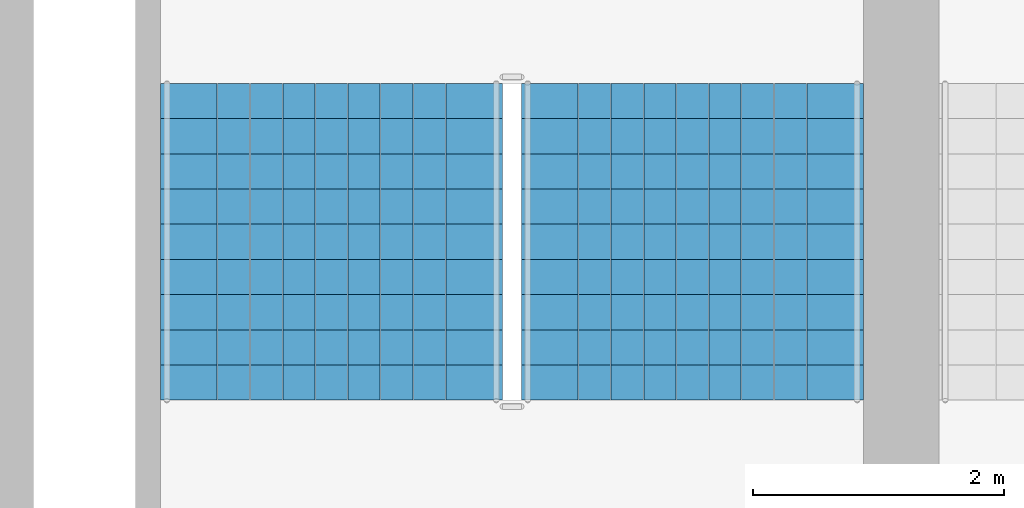
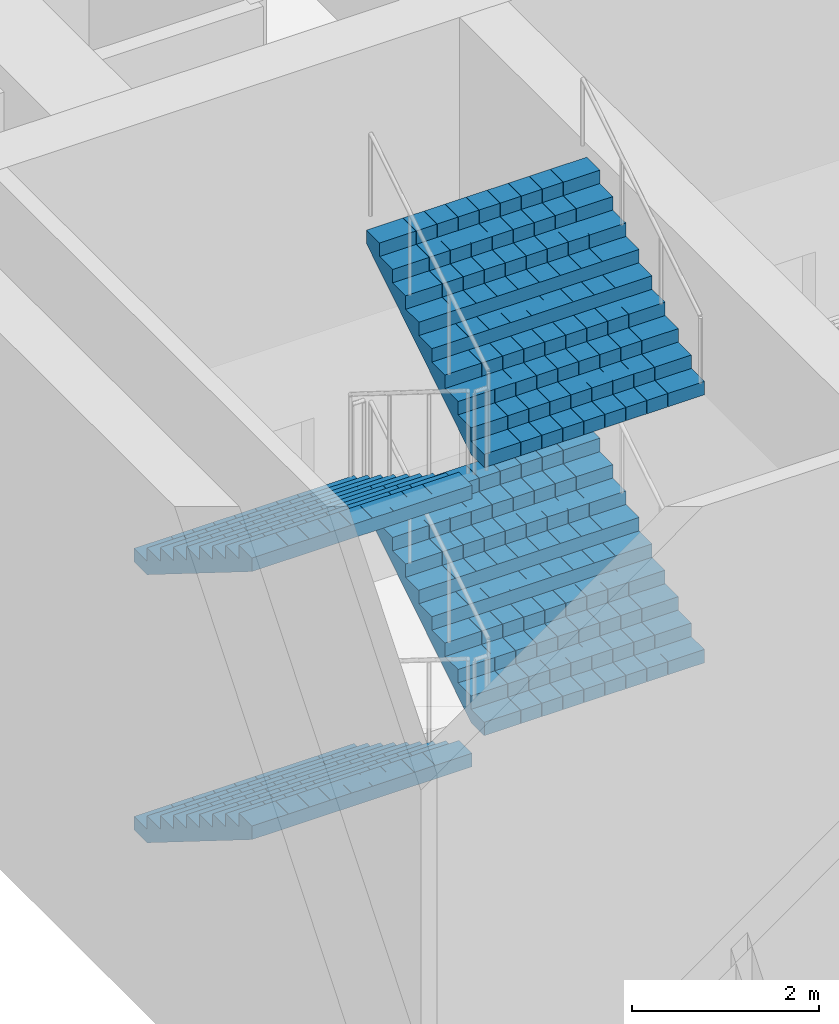
# One storey, part 32 of 45: 4 stair flights, 1 element without a shape of its own.
"""IFC4 building model written with IfcOpenShell, lengths in metres."""

from ifc_helpers import new_model, si_unit, direction, frame, origin, place, context, subcontext, project, spatial, polyline, outline, extrude, material, type_object, element, aggregate, save


model = new_model("IFC4")

# Units and contexts
model_context = context("Model", 3, precision=1e-05, world=origin(), true_north=direction((0.0, 1.0)))
body_context = subcontext(model_context, "Body", "Model", "MODEL_VIEW")
ifc_project = project(units=[si_unit("LENGTHUNIT", "METRE"), si_unit("AREAUNIT", "SQUARE_METRE"), si_unit("VOLUMEUNIT", "CUBIC_METRE"), si_unit("PLANEANGLEUNIT", "RADIAN"), si_unit("MASSUNIT", "GRAM", prefix="KILO")], contexts=[model_context])

# Site, building, storey
site_placement = place(None, origin())
site = spatial("IfcSite", under=ifc_project, at=site_placement, CompositionType="ELEMENT")
building_placement = place(site_placement, origin())
building = spatial("IfcBuilding", under=site, at=building_placement, Name="Corbelhall Arena Tower", CompositionType="ELEMENT")
storey_placement = place(building_placement, frame((0.0, 0.0, 37.0)))
storey = spatial("IfcBuildingStorey", under=building, at=storey_placement, Name="L05", CompositionType="ELEMENT", Elevation=37.0)

# Stair, stair flights
ifc_material = material(Name="Reinforced concrete C40/50", Category="concrete")
stair_type = type_object("IfcStairType", Name="AR-EXIT-STAIR", PredefinedType="HALF_TURN_STAIR", material=ifc_material)
stair_placement = place(storey_placement, origin())
stair = element("IfcStair", 1, at=stair_placement, inside=storey, type_object=stair_type, Name="L05 exit stair AS8", PredefinedType="HALF_TURN_STAIR")
stair_flight_type = type_object("IfcStairFlightType", Name="AR-EXIT-FLIGHT", PredefinedType="STRAIGHT", material=ifc_material)
stair_flight_1_placement = place(storey_placement, frame((-45.030029296875, -27.320068359375, 0.0), z_axis=(0.0, 0.0, 1.0), x_axis=(0.0, -1.0, 0.0)))
stair_flight_1 = element("IfcStairFlight", 2, at=stair_flight_1_placement, type_object=stair_flight_type, Name="AS8 flight 1", NumberOfRisers=10, NumberOfTreads=9, PredefinedType="STRAIGHT", RiserHeight=0.175, TreadLength=0.28, context=body_context, shape_type="SweptSolid", body=[
    extrude(outline(polyline([(0.0, 0.0), (0.0, 0.175048828125), (0.280029296875, 0.175048828125), (0.280029296875, 0.35009765625), (0.56005859375, 0.35009765625), (0.56005859375, 0.52490234375), (0.840087890625, 0.52490234375), (0.840087890625, 0.699951171875), (1.1201171875, 0.699951171875), (1.1201171875, 0.875), (1.39990234375, 0.875), (1.39990234375, 1.050048828125), (1.679931640625, 1.050048828125), (1.679931640625, 1.22509765625), (1.9599609375, 1.22509765625), (1.9599609375, 1.39990234375), (2.239990234375, 1.39990234375), (2.239990234375, 1.574951171875), (2.52001953125, 1.574951171875), (2.52001953125, 1.75), (2.52001953125, 1.398193359375), (0.28271484375, 0.0), (0.0, 0.0)])), frame((0.0, 1.35986328125, 0.0), z_axis=(0.0, -1.0, 0.0), x_axis=(1.0, 0.0, 0.0)), (0.0, 0.0, 1.0), 0.449951171875),
    extrude(outline(polyline([(0.0, 0.0), (0.0, 0.175048828125), (0.280029296875, 0.175048828125), (0.280029296875, 0.35009765625), (0.56005859375, 0.35009765625), (0.56005859375, 0.52490234375), (0.840087890625, 0.52490234375), (0.840087890625, 0.699951171875), (1.1201171875, 0.699951171875), (1.1201171875, 0.875), (1.39990234375, 0.875), (1.39990234375, 1.050048828125), (1.679931640625, 1.050048828125), (1.679931640625, 1.22509765625), (1.9599609375, 1.22509765625), (1.9599609375, 1.39990234375), (2.239990234375, 1.39990234375), (2.239990234375, 1.574951171875), (2.52001953125, 1.574951171875), (2.52001953125, 1.75), (2.52001953125, 1.398193359375), (0.28271484375, 0.0), (0.0, 0.0)])), frame((0.0, 0.906005859375, 0.0), z_axis=(0.0, -1.0, 0.0), x_axis=(1.0, 0.0, 0.0)), (0.0, 0.0, 1.0), 0.25537109375),
    extrude(outline(polyline([(0.0, 0.0), (0.0, 0.175048828125), (0.280029296875, 0.175048828125), (0.280029296875, 0.35009765625), (0.56005859375, 0.35009765625), (0.56005859375, 0.52490234375), (0.840087890625, 0.52490234375), (0.840087890625, 0.699951171875), (1.1201171875, 0.699951171875), (1.1201171875, 0.875), (1.39990234375, 0.875), (1.39990234375, 1.050048828125), (1.679931640625, 1.050048828125), (1.679931640625, 1.22509765625), (1.9599609375, 1.22509765625), (1.9599609375, 1.39990234375), (2.239990234375, 1.39990234375), (2.239990234375, 1.574951171875), (2.52001953125, 1.574951171875), (2.52001953125, 1.75), (2.52001953125, 1.398193359375), (0.28271484375, 0.0), (0.0, 0.0)])), frame((0.0, 0.646484375, 0.0), z_axis=(0.0, -1.0, 0.0), x_axis=(1.0, 0.0, 0.0)), (0.0, 0.0, 1.0), 0.25537109375),
    extrude(outline(polyline([(0.0, 0.0), (0.0, 0.175048828125), (0.280029296875, 0.175048828125), (0.280029296875, 0.35009765625), (0.56005859375, 0.35009765625), (0.56005859375, 0.52490234375), (0.840087890625, 0.52490234375), (0.840087890625, 0.699951171875), (1.1201171875, 0.699951171875), (1.1201171875, 0.875), (1.39990234375, 0.875), (1.39990234375, 1.050048828125), (1.679931640625, 1.050048828125), (1.679931640625, 1.22509765625), (1.9599609375, 1.22509765625), (1.9599609375, 1.39990234375), (2.239990234375, 1.39990234375), (2.239990234375, 1.574951171875), (2.52001953125, 1.574951171875), (2.52001953125, 1.75), (2.52001953125, 1.398193359375), (0.28271484375, 0.0), (0.0, 0.0)])), frame((0.0, 0.38720703125, 0.0), z_axis=(0.0, -1.0, 0.0), x_axis=(1.0, 0.0, 0.0)), (0.0, 0.0, 1.0), 0.25537109375),
    extrude(outline(polyline([(0.0, 0.0), (0.0, 0.175048828125), (0.280029296875, 0.175048828125), (0.280029296875, 0.35009765625), (0.56005859375, 0.35009765625), (0.56005859375, 0.52490234375), (0.840087890625, 0.52490234375), (0.840087890625, 0.699951171875), (1.1201171875, 0.699951171875), (1.1201171875, 0.875), (1.39990234375, 0.875), (1.39990234375, 1.050048828125), (1.679931640625, 1.050048828125), (1.679931640625, 1.22509765625), (1.9599609375, 1.22509765625), (1.9599609375, 1.39990234375), (2.239990234375, 1.39990234375), (2.239990234375, 1.574951171875), (2.52001953125, 1.574951171875), (2.52001953125, 1.75), (2.52001953125, 1.398193359375), (0.28271484375, 0.0), (0.0, 0.0)])), frame((0.0, 0.127685546875, 0.0), z_axis=(0.0, -1.0, 0.0), x_axis=(1.0, 0.0, 0.0)), (0.0, 0.0, 1.0), 0.25537109375),
    extrude(outline(polyline([(0.0, 0.0), (0.0, 0.175048828125), (0.280029296875, 0.175048828125), (0.280029296875, 0.35009765625), (0.56005859375, 0.35009765625), (0.56005859375, 0.52490234375), (0.840087890625, 0.52490234375), (0.840087890625, 0.699951171875), (1.1201171875, 0.699951171875), (1.1201171875, 0.875), (1.39990234375, 0.875), (1.39990234375, 1.050048828125), (1.679931640625, 1.050048828125), (1.679931640625, 1.22509765625), (1.9599609375, 1.22509765625), (1.9599609375, 1.39990234375), (2.239990234375, 1.39990234375), (2.239990234375, 1.574951171875), (2.52001953125, 1.574951171875), (2.52001953125, 1.75), (2.52001953125, 1.398193359375), (0.28271484375, 0.0), (0.0, 0.0)])), frame((0.0, -0.131591796875, 0.0), z_axis=(0.0, -1.0, 0.0), x_axis=(1.0, 0.0, 0.0)), (0.0, 0.0, 1.0), 0.25537109375),
    extrude(outline(polyline([(0.0, 0.0), (0.0, 0.175048828125), (0.280029296875, 0.175048828125), (0.280029296875, 0.35009765625), (0.56005859375, 0.35009765625), (0.56005859375, 0.52490234375), (0.840087890625, 0.52490234375), (0.840087890625, 0.699951171875), (1.1201171875, 0.699951171875), (1.1201171875, 0.875), (1.39990234375, 0.875), (1.39990234375, 1.050048828125), (1.679931640625, 1.050048828125), (1.679931640625, 1.22509765625), (1.9599609375, 1.22509765625), (1.9599609375, 1.39990234375), (2.239990234375, 1.39990234375), (2.239990234375, 1.574951171875), (2.52001953125, 1.574951171875), (2.52001953125, 1.75), (2.52001953125, 1.398193359375), (0.28271484375, 0.0), (0.0, 0.0)])), frame((0.0, -0.39111328125, 0.0), z_axis=(0.0, -1.0, 0.0), x_axis=(1.0, 0.0, 0.0)), (0.0, 0.0, 1.0), 0.25537109375),
    extrude(outline(polyline([(0.0, 0.0), (0.0, 0.175048828125), (0.280029296875, 0.175048828125), (0.280029296875, 0.35009765625), (0.56005859375, 0.35009765625), (0.56005859375, 0.52490234375), (0.840087890625, 0.52490234375), (0.840087890625, 0.699951171875), (1.1201171875, 0.699951171875), (1.1201171875, 0.875), (1.39990234375, 0.875), (1.39990234375, 1.050048828125), (1.679931640625, 1.050048828125), (1.679931640625, 1.22509765625), (1.9599609375, 1.22509765625), (1.9599609375, 1.39990234375), (2.239990234375, 1.39990234375), (2.239990234375, 1.574951171875), (2.52001953125, 1.574951171875), (2.52001953125, 1.75), (2.52001953125, 1.398193359375), (0.28271484375, 0.0), (0.0, 0.0)])), frame((0.0, -0.650634765625, 0.0), z_axis=(0.0, -1.0, 0.0), x_axis=(1.0, 0.0, 0.0)), (0.0, 0.0, 1.0), 0.25537109375),
    extrude(outline(polyline([(0.0, 0.0), (0.0, 0.175048828125), (0.280029296875, 0.175048828125), (0.280029296875, 0.35009765625), (0.56005859375, 0.35009765625), (0.56005859375, 0.52490234375), (0.840087890625, 0.52490234375), (0.840087890625, 0.699951171875), (1.1201171875, 0.699951171875), (1.1201171875, 0.875), (1.39990234375, 0.875), (1.39990234375, 1.050048828125), (1.679931640625, 1.050048828125), (1.679931640625, 1.22509765625), (1.9599609375, 1.22509765625), (1.9599609375, 1.39990234375), (2.239990234375, 1.39990234375), (2.239990234375, 1.574951171875), (2.52001953125, 1.574951171875), (2.52001953125, 1.75), (2.52001953125, 1.398193359375), (0.28271484375, 0.0), (0.0, 0.0)])), frame((0.0, -0.909912109375, 0.0), z_axis=(0.0, -1.0, 0.0), x_axis=(1.0, 0.0, 0.0)), (0.0, 0.0, 1.0), 0.449951171875),
])
stair_flight_2_placement = place(storey_placement, frame((-42.159912109375, -29.840087890625, 1.75), z_axis=(0.0, 0.0, 1.0), x_axis=(0.0, 1.0, 0.0)))
stair_flight_2 = element("IfcStairFlight", 3, at=stair_flight_2_placement, type_object=stair_flight_type, Name="AS8 flight 2", NumberOfRisers=10, NumberOfTreads=9, PredefinedType="STRAIGHT", RiserHeight=0.175, TreadLength=0.28, context=body_context, shape_type="SweptSolid", body=[
    extrude(outline(polyline([(0.0, 0.0), (0.0, 0.175048828125), (0.280029296875, 0.175048828125), (0.280029296875, 0.35009765625), (0.56005859375, 0.35009765625), (0.56005859375, 0.52490234375), (0.840087890625, 0.52490234375), (0.840087890625, 0.699951171875), (1.1201171875, 0.699951171875), (1.1201171875, 0.875), (1.39990234375, 0.875), (1.39990234375, 1.050048828125), (1.679931640625, 1.050048828125), (1.679931640625, 1.22509765625), (1.9599609375, 1.22509765625), (1.9599609375, 1.39990234375), (2.239990234375, 1.39990234375), (2.239990234375, 1.574951171875), (2.52001953125, 1.574951171875), (2.52001953125, 1.75), (2.52001953125, 1.398193359375), (0.28271484375, 0.0), (0.0, 0.0)])), frame((0.0, 1.35986328125, 0.0), z_axis=(0.0, -1.0, 0.0), x_axis=(1.0, 0.0, 0.0)), (0.0, 0.0, 1.0), 0.449951171875),
    extrude(outline(polyline([(0.0, 0.0), (0.0, 0.175048828125), (0.280029296875, 0.175048828125), (0.280029296875, 0.35009765625), (0.56005859375, 0.35009765625), (0.56005859375, 0.52490234375), (0.840087890625, 0.52490234375), (0.840087890625, 0.699951171875), (1.1201171875, 0.699951171875), (1.1201171875, 0.875), (1.39990234375, 0.875), (1.39990234375, 1.050048828125), (1.679931640625, 1.050048828125), (1.679931640625, 1.22509765625), (1.9599609375, 1.22509765625), (1.9599609375, 1.39990234375), (2.239990234375, 1.39990234375), (2.239990234375, 1.574951171875), (2.52001953125, 1.574951171875), (2.52001953125, 1.75), (2.52001953125, 1.398193359375), (0.28271484375, 0.0), (0.0, 0.0)])), frame((0.0, 0.906005859375, 0.0), z_axis=(0.0, -1.0, 0.0), x_axis=(1.0, 0.0, 0.0)), (0.0, 0.0, 1.0), 0.25537109375),
    extrude(outline(polyline([(0.0, 0.0), (0.0, 0.175048828125), (0.280029296875, 0.175048828125), (0.280029296875, 0.35009765625), (0.56005859375, 0.35009765625), (0.56005859375, 0.52490234375), (0.840087890625, 0.52490234375), (0.840087890625, 0.699951171875), (1.1201171875, 0.699951171875), (1.1201171875, 0.875), (1.39990234375, 0.875), (1.39990234375, 1.050048828125), (1.679931640625, 1.050048828125), (1.679931640625, 1.22509765625), (1.9599609375, 1.22509765625), (1.9599609375, 1.39990234375), (2.239990234375, 1.39990234375), (2.239990234375, 1.574951171875), (2.52001953125, 1.574951171875), (2.52001953125, 1.75), (2.52001953125, 1.398193359375), (0.28271484375, 0.0), (0.0, 0.0)])), frame((0.0, 0.646484375, 0.0), z_axis=(0.0, -1.0, 0.0), x_axis=(1.0, 0.0, 0.0)), (0.0, 0.0, 1.0), 0.25537109375),
    extrude(outline(polyline([(0.0, 0.0), (0.0, 0.175048828125), (0.280029296875, 0.175048828125), (0.280029296875, 0.35009765625), (0.56005859375, 0.35009765625), (0.56005859375, 0.52490234375), (0.840087890625, 0.52490234375), (0.840087890625, 0.699951171875), (1.1201171875, 0.699951171875), (1.1201171875, 0.875), (1.39990234375, 0.875), (1.39990234375, 1.050048828125), (1.679931640625, 1.050048828125), (1.679931640625, 1.22509765625), (1.9599609375, 1.22509765625), (1.9599609375, 1.39990234375), (2.239990234375, 1.39990234375), (2.239990234375, 1.574951171875), (2.52001953125, 1.574951171875), (2.52001953125, 1.75), (2.52001953125, 1.398193359375), (0.28271484375, 0.0), (0.0, 0.0)])), frame((0.0, 0.38720703125, 0.0), z_axis=(0.0, -1.0, 0.0), x_axis=(1.0, 0.0, 0.0)), (0.0, 0.0, 1.0), 0.25537109375),
    extrude(outline(polyline([(0.0, 0.0), (0.0, 0.175048828125), (0.280029296875, 0.175048828125), (0.280029296875, 0.35009765625), (0.56005859375, 0.35009765625), (0.56005859375, 0.52490234375), (0.840087890625, 0.52490234375), (0.840087890625, 0.699951171875), (1.1201171875, 0.699951171875), (1.1201171875, 0.875), (1.39990234375, 0.875), (1.39990234375, 1.050048828125), (1.679931640625, 1.050048828125), (1.679931640625, 1.22509765625), (1.9599609375, 1.22509765625), (1.9599609375, 1.39990234375), (2.239990234375, 1.39990234375), (2.239990234375, 1.574951171875), (2.52001953125, 1.574951171875), (2.52001953125, 1.75), (2.52001953125, 1.398193359375), (0.28271484375, 0.0), (0.0, 0.0)])), frame((0.0, 0.127685546875, 0.0), z_axis=(0.0, -1.0, 0.0), x_axis=(1.0, 0.0, 0.0)), (0.0, 0.0, 1.0), 0.25537109375),
    extrude(outline(polyline([(0.0, 0.0), (0.0, 0.175048828125), (0.280029296875, 0.175048828125), (0.280029296875, 0.35009765625), (0.56005859375, 0.35009765625), (0.56005859375, 0.52490234375), (0.840087890625, 0.52490234375), (0.840087890625, 0.699951171875), (1.1201171875, 0.699951171875), (1.1201171875, 0.875), (1.39990234375, 0.875), (1.39990234375, 1.050048828125), (1.679931640625, 1.050048828125), (1.679931640625, 1.22509765625), (1.9599609375, 1.22509765625), (1.9599609375, 1.39990234375), (2.239990234375, 1.39990234375), (2.239990234375, 1.574951171875), (2.52001953125, 1.574951171875), (2.52001953125, 1.75), (2.52001953125, 1.398193359375), (0.28271484375, 0.0), (0.0, 0.0)])), frame((0.0, -0.131591796875, 0.0), z_axis=(0.0, -1.0, 0.0), x_axis=(1.0, 0.0, 0.0)), (0.0, 0.0, 1.0), 0.25537109375),
    extrude(outline(polyline([(0.0, 0.0), (0.0, 0.175048828125), (0.280029296875, 0.175048828125), (0.280029296875, 0.35009765625), (0.56005859375, 0.35009765625), (0.56005859375, 0.52490234375), (0.840087890625, 0.52490234375), (0.840087890625, 0.699951171875), (1.1201171875, 0.699951171875), (1.1201171875, 0.875), (1.39990234375, 0.875), (1.39990234375, 1.050048828125), (1.679931640625, 1.050048828125), (1.679931640625, 1.22509765625), (1.9599609375, 1.22509765625), (1.9599609375, 1.39990234375), (2.239990234375, 1.39990234375), (2.239990234375, 1.574951171875), (2.52001953125, 1.574951171875), (2.52001953125, 1.75), (2.52001953125, 1.398193359375), (0.28271484375, 0.0), (0.0, 0.0)])), frame((0.0, -0.39111328125, 0.0), z_axis=(0.0, -1.0, 0.0), x_axis=(1.0, 0.0, 0.0)), (0.0, 0.0, 1.0), 0.25537109375),
    extrude(outline(polyline([(0.0, 0.0), (0.0, 0.175048828125), (0.280029296875, 0.175048828125), (0.280029296875, 0.35009765625), (0.56005859375, 0.35009765625), (0.56005859375, 0.52490234375), (0.840087890625, 0.52490234375), (0.840087890625, 0.699951171875), (1.1201171875, 0.699951171875), (1.1201171875, 0.875), (1.39990234375, 0.875), (1.39990234375, 1.050048828125), (1.679931640625, 1.050048828125), (1.679931640625, 1.22509765625), (1.9599609375, 1.22509765625), (1.9599609375, 1.39990234375), (2.239990234375, 1.39990234375), (2.239990234375, 1.574951171875), (2.52001953125, 1.574951171875), (2.52001953125, 1.75), (2.52001953125, 1.398193359375), (0.28271484375, 0.0), (0.0, 0.0)])), frame((0.0, -0.650634765625, 0.0), z_axis=(0.0, -1.0, 0.0), x_axis=(1.0, 0.0, 0.0)), (0.0, 0.0, 1.0), 0.25537109375),
    extrude(outline(polyline([(0.0, 0.0), (0.0, 0.175048828125), (0.280029296875, 0.175048828125), (0.280029296875, 0.35009765625), (0.56005859375, 0.35009765625), (0.56005859375, 0.52490234375), (0.840087890625, 0.52490234375), (0.840087890625, 0.699951171875), (1.1201171875, 0.699951171875), (1.1201171875, 0.875), (1.39990234375, 0.875), (1.39990234375, 1.050048828125), (1.679931640625, 1.050048828125), (1.679931640625, 1.22509765625), (1.9599609375, 1.22509765625), (1.9599609375, 1.39990234375), (2.239990234375, 1.39990234375), (2.239990234375, 1.574951171875), (2.52001953125, 1.574951171875), (2.52001953125, 1.75), (2.52001953125, 1.398193359375), (0.28271484375, 0.0), (0.0, 0.0)])), frame((0.0, -0.909912109375, 0.0), z_axis=(0.0, -1.0, 0.0), x_axis=(1.0, 0.0, 0.0)), (0.0, 0.0, 1.0), 0.449951171875),
])
stair_flight_3_placement = place(storey_placement, frame((-45.030029296875, -27.320068359375, 3.5), z_axis=(0.0, 0.0, 1.0), x_axis=(0.0, -1.0, 0.0)))
stair_flight_3 = element("IfcStairFlight", 4, at=stair_flight_3_placement, type_object=stair_flight_type, Name="AS8 flight 3", NumberOfRisers=10, NumberOfTreads=9, PredefinedType="STRAIGHT", RiserHeight=0.175, TreadLength=0.28, context=body_context, shape_type="SweptSolid", body=[
    extrude(outline(polyline([(0.0, 0.0), (0.0, 0.175048828125), (0.280029296875, 0.175048828125), (0.280029296875, 0.35009765625), (0.56005859375, 0.35009765625), (0.56005859375, 0.52490234375), (0.840087890625, 0.52490234375), (0.840087890625, 0.699951171875), (1.1201171875, 0.699951171875), (1.1201171875, 0.875), (1.39990234375, 0.875), (1.39990234375, 1.050048828125), (1.679931640625, 1.050048828125), (1.679931640625, 1.22509765625), (1.9599609375, 1.22509765625), (1.9599609375, 1.39990234375), (2.239990234375, 1.39990234375), (2.239990234375, 1.574951171875), (2.52001953125, 1.574951171875), (2.52001953125, 1.75), (2.52001953125, 1.398193359375), (0.28271484375, 0.0), (0.0, 0.0)])), frame((0.0, 1.35986328125, 0.0), z_axis=(0.0, -1.0, 0.0), x_axis=(1.0, 0.0, 0.0)), (0.0, 0.0, 1.0), 0.449951171875),
    extrude(outline(polyline([(0.0, 0.0), (0.0, 0.175048828125), (0.280029296875, 0.175048828125), (0.280029296875, 0.35009765625), (0.56005859375, 0.35009765625), (0.56005859375, 0.52490234375), (0.840087890625, 0.52490234375), (0.840087890625, 0.699951171875), (1.1201171875, 0.699951171875), (1.1201171875, 0.875), (1.39990234375, 0.875), (1.39990234375, 1.050048828125), (1.679931640625, 1.050048828125), (1.679931640625, 1.22509765625), (1.9599609375, 1.22509765625), (1.9599609375, 1.39990234375), (2.239990234375, 1.39990234375), (2.239990234375, 1.574951171875), (2.52001953125, 1.574951171875), (2.52001953125, 1.75), (2.52001953125, 1.398193359375), (0.28271484375, 0.0), (0.0, 0.0)])), frame((0.0, 0.906005859375, 0.0), z_axis=(0.0, -1.0, 0.0), x_axis=(1.0, 0.0, 0.0)), (0.0, 0.0, 1.0), 0.25537109375),
    extrude(outline(polyline([(0.0, 0.0), (0.0, 0.175048828125), (0.280029296875, 0.175048828125), (0.280029296875, 0.35009765625), (0.56005859375, 0.35009765625), (0.56005859375, 0.52490234375), (0.840087890625, 0.52490234375), (0.840087890625, 0.699951171875), (1.1201171875, 0.699951171875), (1.1201171875, 0.875), (1.39990234375, 0.875), (1.39990234375, 1.050048828125), (1.679931640625, 1.050048828125), (1.679931640625, 1.22509765625), (1.9599609375, 1.22509765625), (1.9599609375, 1.39990234375), (2.239990234375, 1.39990234375), (2.239990234375, 1.574951171875), (2.52001953125, 1.574951171875), (2.52001953125, 1.75), (2.52001953125, 1.398193359375), (0.28271484375, 0.0), (0.0, 0.0)])), frame((0.0, 0.646484375, 0.0), z_axis=(0.0, -1.0, 0.0), x_axis=(1.0, 0.0, 0.0)), (0.0, 0.0, 1.0), 0.25537109375),
    extrude(outline(polyline([(0.0, 0.0), (0.0, 0.175048828125), (0.280029296875, 0.175048828125), (0.280029296875, 0.35009765625), (0.56005859375, 0.35009765625), (0.56005859375, 0.52490234375), (0.840087890625, 0.52490234375), (0.840087890625, 0.699951171875), (1.1201171875, 0.699951171875), (1.1201171875, 0.875), (1.39990234375, 0.875), (1.39990234375, 1.050048828125), (1.679931640625, 1.050048828125), (1.679931640625, 1.22509765625), (1.9599609375, 1.22509765625), (1.9599609375, 1.39990234375), (2.239990234375, 1.39990234375), (2.239990234375, 1.574951171875), (2.52001953125, 1.574951171875), (2.52001953125, 1.75), (2.52001953125, 1.398193359375), (0.28271484375, 0.0), (0.0, 0.0)])), frame((0.0, 0.38720703125, 0.0), z_axis=(0.0, -1.0, 0.0), x_axis=(1.0, 0.0, 0.0)), (0.0, 0.0, 1.0), 0.25537109375),
    extrude(outline(polyline([(0.0, 0.0), (0.0, 0.175048828125), (0.280029296875, 0.175048828125), (0.280029296875, 0.35009765625), (0.56005859375, 0.35009765625), (0.56005859375, 0.52490234375), (0.840087890625, 0.52490234375), (0.840087890625, 0.699951171875), (1.1201171875, 0.699951171875), (1.1201171875, 0.875), (1.39990234375, 0.875), (1.39990234375, 1.050048828125), (1.679931640625, 1.050048828125), (1.679931640625, 1.22509765625), (1.9599609375, 1.22509765625), (1.9599609375, 1.39990234375), (2.239990234375, 1.39990234375), (2.239990234375, 1.574951171875), (2.52001953125, 1.574951171875), (2.52001953125, 1.75), (2.52001953125, 1.398193359375), (0.28271484375, 0.0), (0.0, 0.0)])), frame((0.0, 0.127685546875, 0.0), z_axis=(0.0, -1.0, 0.0), x_axis=(1.0, 0.0, 0.0)), (0.0, 0.0, 1.0), 0.25537109375),
    extrude(outline(polyline([(0.0, 0.0), (0.0, 0.175048828125), (0.280029296875, 0.175048828125), (0.280029296875, 0.35009765625), (0.56005859375, 0.35009765625), (0.56005859375, 0.52490234375), (0.840087890625, 0.52490234375), (0.840087890625, 0.699951171875), (1.1201171875, 0.699951171875), (1.1201171875, 0.875), (1.39990234375, 0.875), (1.39990234375, 1.050048828125), (1.679931640625, 1.050048828125), (1.679931640625, 1.22509765625), (1.9599609375, 1.22509765625), (1.9599609375, 1.39990234375), (2.239990234375, 1.39990234375), (2.239990234375, 1.574951171875), (2.52001953125, 1.574951171875), (2.52001953125, 1.75), (2.52001953125, 1.398193359375), (0.28271484375, 0.0), (0.0, 0.0)])), frame((0.0, -0.131591796875, 0.0), z_axis=(0.0, -1.0, 0.0), x_axis=(1.0, 0.0, 0.0)), (0.0, 0.0, 1.0), 0.25537109375),
    extrude(outline(polyline([(0.0, 0.0), (0.0, 0.175048828125), (0.280029296875, 0.175048828125), (0.280029296875, 0.35009765625), (0.56005859375, 0.35009765625), (0.56005859375, 0.52490234375), (0.840087890625, 0.52490234375), (0.840087890625, 0.699951171875), (1.1201171875, 0.699951171875), (1.1201171875, 0.875), (1.39990234375, 0.875), (1.39990234375, 1.050048828125), (1.679931640625, 1.050048828125), (1.679931640625, 1.22509765625), (1.9599609375, 1.22509765625), (1.9599609375, 1.39990234375), (2.239990234375, 1.39990234375), (2.239990234375, 1.574951171875), (2.52001953125, 1.574951171875), (2.52001953125, 1.75), (2.52001953125, 1.398193359375), (0.28271484375, 0.0), (0.0, 0.0)])), frame((0.0, -0.39111328125, 0.0), z_axis=(0.0, -1.0, 0.0), x_axis=(1.0, 0.0, 0.0)), (0.0, 0.0, 1.0), 0.25537109375),
    extrude(outline(polyline([(0.0, 0.0), (0.0, 0.175048828125), (0.280029296875, 0.175048828125), (0.280029296875, 0.35009765625), (0.56005859375, 0.35009765625), (0.56005859375, 0.52490234375), (0.840087890625, 0.52490234375), (0.840087890625, 0.699951171875), (1.1201171875, 0.699951171875), (1.1201171875, 0.875), (1.39990234375, 0.875), (1.39990234375, 1.050048828125), (1.679931640625, 1.050048828125), (1.679931640625, 1.22509765625), (1.9599609375, 1.22509765625), (1.9599609375, 1.39990234375), (2.239990234375, 1.39990234375), (2.239990234375, 1.574951171875), (2.52001953125, 1.574951171875), (2.52001953125, 1.75), (2.52001953125, 1.398193359375), (0.28271484375, 0.0), (0.0, 0.0)])), frame((0.0, -0.650634765625, 0.0), z_axis=(0.0, -1.0, 0.0), x_axis=(1.0, 0.0, 0.0)), (0.0, 0.0, 1.0), 0.25537109375),
    extrude(outline(polyline([(0.0, 0.0), (0.0, 0.175048828125), (0.280029296875, 0.175048828125), (0.280029296875, 0.35009765625), (0.56005859375, 0.35009765625), (0.56005859375, 0.52490234375), (0.840087890625, 0.52490234375), (0.840087890625, 0.699951171875), (1.1201171875, 0.699951171875), (1.1201171875, 0.875), (1.39990234375, 0.875), (1.39990234375, 1.050048828125), (1.679931640625, 1.050048828125), (1.679931640625, 1.22509765625), (1.9599609375, 1.22509765625), (1.9599609375, 1.39990234375), (2.239990234375, 1.39990234375), (2.239990234375, 1.574951171875), (2.52001953125, 1.574951171875), (2.52001953125, 1.75), (2.52001953125, 1.398193359375), (0.28271484375, 0.0), (0.0, 0.0)])), frame((0.0, -0.909912109375, 0.0), z_axis=(0.0, -1.0, 0.0), x_axis=(1.0, 0.0, 0.0)), (0.0, 0.0, 1.0), 0.449951171875),
])
stair_flight_4_placement = place(storey_placement, frame((-42.159912109375, -29.840087890625, 5.25), z_axis=(0.0, 0.0, 1.0), x_axis=(0.0, 1.0, 0.0)))
stair_flight_4 = element("IfcStairFlight", 5, at=stair_flight_4_placement, type_object=stair_flight_type, Name="AS8 flight 4", NumberOfRisers=10, NumberOfTreads=9, PredefinedType="STRAIGHT", RiserHeight=0.175, TreadLength=0.28, context=body_context, shape_type="SweptSolid", body=[
    extrude(outline(polyline([(0.0, 0.0), (0.0, 0.175048828125), (0.280029296875, 0.175048828125), (0.280029296875, 0.35009765625), (0.56005859375, 0.35009765625), (0.56005859375, 0.52490234375), (0.840087890625, 0.52490234375), (0.840087890625, 0.699951171875), (1.1201171875, 0.699951171875), (1.1201171875, 0.875), (1.39990234375, 0.875), (1.39990234375, 1.050048828125), (1.679931640625, 1.050048828125), (1.679931640625, 1.22509765625), (1.9599609375, 1.22509765625), (1.9599609375, 1.39990234375), (2.239990234375, 1.39990234375), (2.239990234375, 1.574951171875), (2.52001953125, 1.574951171875), (2.52001953125, 1.75), (2.52001953125, 1.398193359375), (0.28271484375, 0.0), (0.0, 0.0)])), frame((0.0, 1.35986328125, 0.0), z_axis=(0.0, -1.0, 0.0), x_axis=(1.0, 0.0, 0.0)), (0.0, 0.0, 1.0), 0.449951171875),
    extrude(outline(polyline([(0.0, 0.0), (0.0, 0.175048828125), (0.280029296875, 0.175048828125), (0.280029296875, 0.35009765625), (0.56005859375, 0.35009765625), (0.56005859375, 0.52490234375), (0.840087890625, 0.52490234375), (0.840087890625, 0.699951171875), (1.1201171875, 0.699951171875), (1.1201171875, 0.875), (1.39990234375, 0.875), (1.39990234375, 1.050048828125), (1.679931640625, 1.050048828125), (1.679931640625, 1.22509765625), (1.9599609375, 1.22509765625), (1.9599609375, 1.39990234375), (2.239990234375, 1.39990234375), (2.239990234375, 1.574951171875), (2.52001953125, 1.574951171875), (2.52001953125, 1.75), (2.52001953125, 1.398193359375), (0.28271484375, 0.0), (0.0, 0.0)])), frame((0.0, 0.906005859375, 0.0), z_axis=(0.0, -1.0, 0.0), x_axis=(1.0, 0.0, 0.0)), (0.0, 0.0, 1.0), 0.25537109375),
    extrude(outline(polyline([(0.0, 0.0), (0.0, 0.175048828125), (0.280029296875, 0.175048828125), (0.280029296875, 0.35009765625), (0.56005859375, 0.35009765625), (0.56005859375, 0.52490234375), (0.840087890625, 0.52490234375), (0.840087890625, 0.699951171875), (1.1201171875, 0.699951171875), (1.1201171875, 0.875), (1.39990234375, 0.875), (1.39990234375, 1.050048828125), (1.679931640625, 1.050048828125), (1.679931640625, 1.22509765625), (1.9599609375, 1.22509765625), (1.9599609375, 1.39990234375), (2.239990234375, 1.39990234375), (2.239990234375, 1.574951171875), (2.52001953125, 1.574951171875), (2.52001953125, 1.75), (2.52001953125, 1.398193359375), (0.28271484375, 0.0), (0.0, 0.0)])), frame((0.0, 0.646484375, 0.0), z_axis=(0.0, -1.0, 0.0), x_axis=(1.0, 0.0, 0.0)), (0.0, 0.0, 1.0), 0.25537109375),
    extrude(outline(polyline([(0.0, 0.0), (0.0, 0.175048828125), (0.280029296875, 0.175048828125), (0.280029296875, 0.35009765625), (0.56005859375, 0.35009765625), (0.56005859375, 0.52490234375), (0.840087890625, 0.52490234375), (0.840087890625, 0.699951171875), (1.1201171875, 0.699951171875), (1.1201171875, 0.875), (1.39990234375, 0.875), (1.39990234375, 1.050048828125), (1.679931640625, 1.050048828125), (1.679931640625, 1.22509765625), (1.9599609375, 1.22509765625), (1.9599609375, 1.39990234375), (2.239990234375, 1.39990234375), (2.239990234375, 1.574951171875), (2.52001953125, 1.574951171875), (2.52001953125, 1.75), (2.52001953125, 1.398193359375), (0.28271484375, 0.0), (0.0, 0.0)])), frame((0.0, 0.38720703125, 0.0), z_axis=(0.0, -1.0, 0.0), x_axis=(1.0, 0.0, 0.0)), (0.0, 0.0, 1.0), 0.25537109375),
    extrude(outline(polyline([(0.0, 0.0), (0.0, 0.175048828125), (0.280029296875, 0.175048828125), (0.280029296875, 0.35009765625), (0.56005859375, 0.35009765625), (0.56005859375, 0.52490234375), (0.840087890625, 0.52490234375), (0.840087890625, 0.699951171875), (1.1201171875, 0.699951171875), (1.1201171875, 0.875), (1.39990234375, 0.875), (1.39990234375, 1.050048828125), (1.679931640625, 1.050048828125), (1.679931640625, 1.22509765625), (1.9599609375, 1.22509765625), (1.9599609375, 1.39990234375), (2.239990234375, 1.39990234375), (2.239990234375, 1.574951171875), (2.52001953125, 1.574951171875), (2.52001953125, 1.75), (2.52001953125, 1.398193359375), (0.28271484375, 0.0), (0.0, 0.0)])), frame((0.0, 0.127685546875, 0.0), z_axis=(0.0, -1.0, 0.0), x_axis=(1.0, 0.0, 0.0)), (0.0, 0.0, 1.0), 0.25537109375),
    extrude(outline(polyline([(0.0, 0.0), (0.0, 0.175048828125), (0.280029296875, 0.175048828125), (0.280029296875, 0.35009765625), (0.56005859375, 0.35009765625), (0.56005859375, 0.52490234375), (0.840087890625, 0.52490234375), (0.840087890625, 0.699951171875), (1.1201171875, 0.699951171875), (1.1201171875, 0.875), (1.39990234375, 0.875), (1.39990234375, 1.050048828125), (1.679931640625, 1.050048828125), (1.679931640625, 1.22509765625), (1.9599609375, 1.22509765625), (1.9599609375, 1.39990234375), (2.239990234375, 1.39990234375), (2.239990234375, 1.574951171875), (2.52001953125, 1.574951171875), (2.52001953125, 1.75), (2.52001953125, 1.398193359375), (0.28271484375, 0.0), (0.0, 0.0)])), frame((0.0, -0.131591796875, 0.0), z_axis=(0.0, -1.0, 0.0), x_axis=(1.0, 0.0, 0.0)), (0.0, 0.0, 1.0), 0.25537109375),
    extrude(outline(polyline([(0.0, 0.0), (0.0, 0.175048828125), (0.280029296875, 0.175048828125), (0.280029296875, 0.35009765625), (0.56005859375, 0.35009765625), (0.56005859375, 0.52490234375), (0.840087890625, 0.52490234375), (0.840087890625, 0.699951171875), (1.1201171875, 0.699951171875), (1.1201171875, 0.875), (1.39990234375, 0.875), (1.39990234375, 1.050048828125), (1.679931640625, 1.050048828125), (1.679931640625, 1.22509765625), (1.9599609375, 1.22509765625), (1.9599609375, 1.39990234375), (2.239990234375, 1.39990234375), (2.239990234375, 1.574951171875), (2.52001953125, 1.574951171875), (2.52001953125, 1.75), (2.52001953125, 1.398193359375), (0.28271484375, 0.0), (0.0, 0.0)])), frame((0.0, -0.39111328125, 0.0), z_axis=(0.0, -1.0, 0.0), x_axis=(1.0, 0.0, 0.0)), (0.0, 0.0, 1.0), 0.25537109375),
    extrude(outline(polyline([(0.0, 0.0), (0.0, 0.175048828125), (0.280029296875, 0.175048828125), (0.280029296875, 0.35009765625), (0.56005859375, 0.35009765625), (0.56005859375, 0.52490234375), (0.840087890625, 0.52490234375), (0.840087890625, 0.699951171875), (1.1201171875, 0.699951171875), (1.1201171875, 0.875), (1.39990234375, 0.875), (1.39990234375, 1.050048828125), (1.679931640625, 1.050048828125), (1.679931640625, 1.22509765625), (1.9599609375, 1.22509765625), (1.9599609375, 1.39990234375), (2.239990234375, 1.39990234375), (2.239990234375, 1.574951171875), (2.52001953125, 1.574951171875), (2.52001953125, 1.75), (2.52001953125, 1.398193359375), (0.28271484375, 0.0), (0.0, 0.0)])), frame((0.0, -0.650634765625, 0.0), z_axis=(0.0, -1.0, 0.0), x_axis=(1.0, 0.0, 0.0)), (0.0, 0.0, 1.0), 0.25537109375),
    extrude(outline(polyline([(0.0, 0.0), (0.0, 0.175048828125), (0.280029296875, 0.175048828125), (0.280029296875, 0.35009765625), (0.56005859375, 0.35009765625), (0.56005859375, 0.52490234375), (0.840087890625, 0.52490234375), (0.840087890625, 0.699951171875), (1.1201171875, 0.699951171875), (1.1201171875, 0.875), (1.39990234375, 0.875), (1.39990234375, 1.050048828125), (1.679931640625, 1.050048828125), (1.679931640625, 1.22509765625), (1.9599609375, 1.22509765625), (1.9599609375, 1.39990234375), (2.239990234375, 1.39990234375), (2.239990234375, 1.574951171875), (2.52001953125, 1.574951171875), (2.52001953125, 1.75), (2.52001953125, 1.398193359375), (0.28271484375, 0.0), (0.0, 0.0)])), frame((0.0, -0.909912109375, 0.0), z_axis=(0.0, -1.0, 0.0), x_axis=(1.0, 0.0, 0.0)), (0.0, 0.0, 1.0), 0.449951171875),
])
aggregate(stair, [stair_flight_1, stair_flight_2, stair_flight_3, stair_flight_4])

save(model, "model.ifc")
